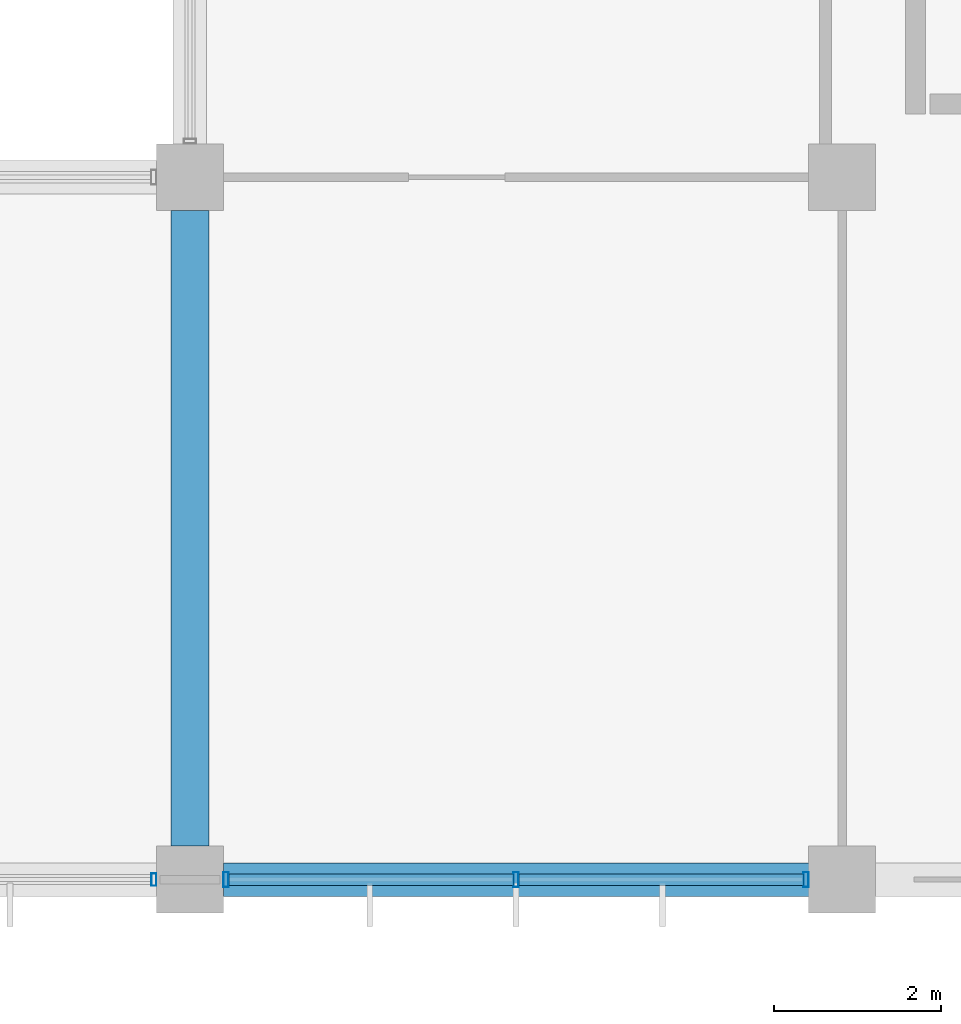
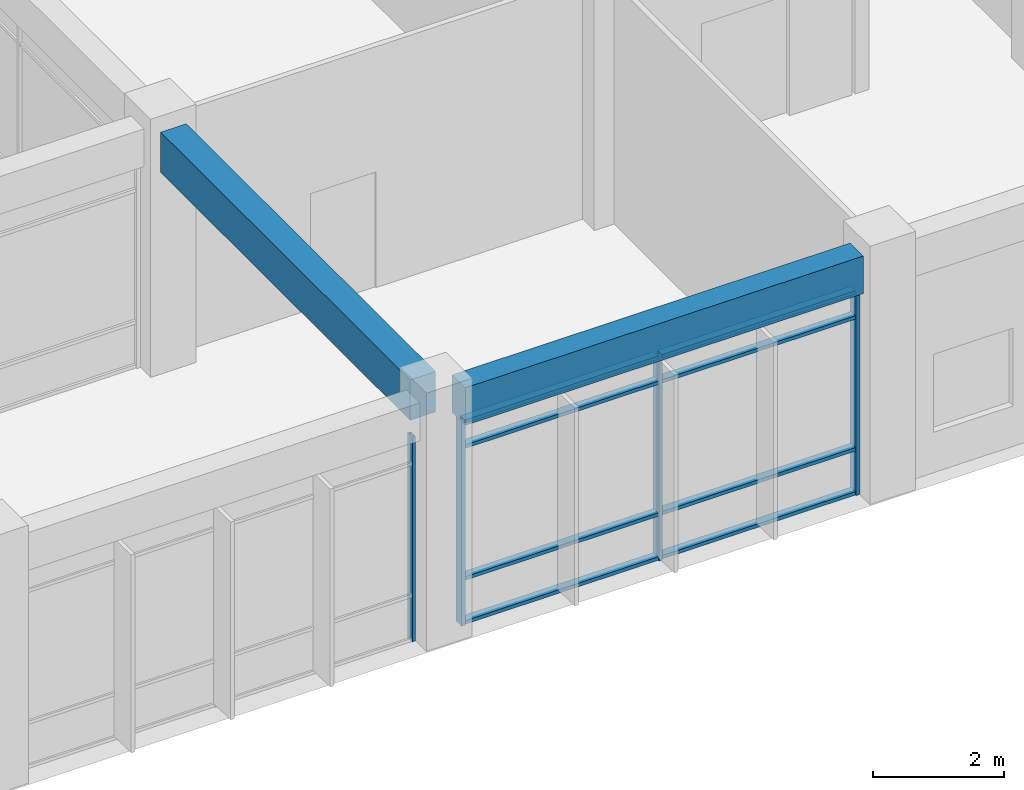
# One storey, part 29 of 62: 12 members, 2 beams, 2 elements without a shape of their own.
"""IFC4 building model written with IfcOpenShell, lengths in metres."""

from ifc_helpers import new_model, si_unit, direction, frame, origin, origin_2d, place, context, subcontext, project, spatial, rectangle, hollow_rectangle, extrude, material, material_profile, profile_set, type_object, element, aggregate, save


model = new_model("IFC4")

# Units and contexts
model_context = context("Model", 3, precision=1e-05, world=origin(), true_north=direction((0.0, 1.0)))
body_context = subcontext(model_context, "Body", "Model", "MODEL_VIEW")
ifc_project = project(units=[si_unit("LENGTHUNIT", "METRE"), si_unit("AREAUNIT", "SQUARE_METRE"), si_unit("VOLUMEUNIT", "CUBIC_METRE"), si_unit("PLANEANGLEUNIT", "RADIAN"), si_unit("MASSUNIT", "GRAM", prefix="KILO"), si_unit("THERMODYNAMICTEMPERATUREUNIT", "KELVIN"), si_unit("POWERUNIT", "WATT")], contexts=[model_context])

# Site, building, storey
site_placement = place(None, origin())
site = spatial("IfcSite", under=ifc_project, at=site_placement, CompositionType="ELEMENT")
building_placement = place(site_placement, origin())
building = spatial("IfcBuilding", under=site, at=building_placement, Name="Srebrne Nadtorze General Hospital", CompositionType="ELEMENT")
storey_placement = place(building_placement, frame((0.0, 0.0, 9.60009765625)))
storey = spatial("IfcBuildingStorey", under=building, at=storey_placement, Name="L02", CompositionType="ELEMENT", Elevation=9.60009765625)

# Curtain wall, member
ifc_material_1 = material(Name="Anodised Aluminium", Category="aluminium")
curtain_wall_type = type_object("IfcCurtainWallType", Name="Unitised curtain wall 7000x3800", PredefinedType="NOTDEFINED", material=ifc_material_1)
curtain_wall_1_placement = place(storey_placement, origin())
curtain_wall_1 = element("IfcCurtainWall", 1, at=curtain_wall_1_placement, inside=storey, type_object=curtain_wall_type, Name="Curtain wall CW-070", PredefinedType="NOTDEFINED")
ifc_material_2 = material(Name="Anodised Aluminium", Category="aluminium")
ifc_material_profile_1 = material_profile(ifc_material_2, hollow_rectangle(XDim=0.06005859375, YDim=0.14990234375, WallThickness=0.00390625, at=origin_2d()), Name="AL-MUL-60x150")
ifc_profile_set_1 = profile_set([ifc_material_profile_1], Name="Anodised Aluminium")
member_type_1 = type_object("IfcMemberType", Name="Curtain mullion 60x150", PredefinedType="MULLION", material=ifc_profile_set_1)
member_1_placement = place(storey_placement, frame((132.169921875, 0.0, 0.0), z_axis=(0.0, 0.0, 1.0), x_axis=(1.0, 0.0, 0.0)))
member_1 = element("IfcMember", 2, at=member_1_placement, type_object=member_type_1, Name="CW-070 mullion 3", PredefinedType="MULLION", context=body_context, shape_type="SweptSolid", body=[
    extrude(hollow_rectangle(XDim=0.06005859375, YDim=0.14990234375, WallThickness=0.00390625, at=origin_2d()), origin(), (0.0, 0.0, 1.0), 3.7998046875),
])
aggregate(curtain_wall_1, [member_1])

# Curtain wall, members
curtain_wall_2_placement = place(storey_placement, origin())
curtain_wall_2 = element("IfcCurtainWall", 3, at=curtain_wall_2_placement, inside=storey, type_object=curtain_wall_type, Name="Curtain wall CW-071", PredefinedType="NOTDEFINED")
ifc_material_3 = material(Name="Anodised Aluminium", Category="aluminium")
ifc_material_profile_2 = material_profile(ifc_material_3, hollow_rectangle(XDim=0.06494140625, YDim=0.179931640625, WallThickness=0.00390625, at=origin_2d()), Name="AL-MUL-65x180")
ifc_profile_set_2 = profile_set([ifc_material_profile_2], Name="Anodised Aluminium")
member_type_2 = type_object("IfcMemberType", Name="Curtain mullion 65x180", PredefinedType="MULLION", material=ifc_profile_set_2)
member_2_placement = place(storey_placement, frame((133.032470703125, 0.0, 0.0), z_axis=(0.0, 0.0, 1.0), x_axis=(1.0, 0.0, 0.0)))
member_2 = element("IfcMember", 4, at=member_2_placement, type_object=member_type_2, Name="CW-071 mullion 1", PredefinedType="MULLION", context=body_context, shape_type="SweptSolid", body=[
    extrude(hollow_rectangle(XDim=0.06494140625, YDim=0.179931640625, WallThickness=0.00390625, at=origin_2d()), origin(), (0.0, 0.0, 1.0), 3.7998046875),
])
member_3_placement = place(storey_placement, frame((136.5, 0.0, 0.0), z_axis=(0.0, 0.0, 1.0), x_axis=(1.0, 0.0, 0.0)))
member_3 = element("IfcMember", 5, at=member_3_placement, type_object=member_type_2, Name="CW-071 mullion 2", PredefinedType="MULLION", context=body_context, shape_type="SweptSolid", body=[
    extrude(hollow_rectangle(XDim=0.06494140625, YDim=0.179931640625, WallThickness=0.00390625, at=origin_2d()), origin(), (0.0, 0.0, 1.0), 3.7998046875),
])
member_4_placement = place(storey_placement, frame((139.967529296875, 0.0, 0.0), z_axis=(0.0, 0.0, 1.0), x_axis=(1.0, 0.0, 0.0)))
member_4 = element("IfcMember", 6, at=member_4_placement, type_object=member_type_2, Name="CW-071 mullion 3", PredefinedType="MULLION", context=body_context, shape_type="SweptSolid", body=[
    extrude(hollow_rectangle(XDim=0.06494140625, YDim=0.179931640625, WallThickness=0.00390625, at=origin_2d()), origin(), (0.0, 0.0, 1.0), 3.7998046875),
])
ifc_material_4 = material(Name="Anodised Aluminium", Category="aluminium")
ifc_material_profile_3 = material_profile(ifc_material_4, hollow_rectangle(XDim=0.06494140625, YDim=0.139892578125, WallThickness=0.00390625, at=origin_2d()), Name="AL-TRN-65x140")
ifc_profile_set_3 = profile_set([ifc_material_profile_3], Name="Anodised Aluminium")
member_type_3 = type_object("IfcMemberType", Name="Curtain transom 65x140", PredefinedType="USERDEFINED", material=ifc_profile_set_3)
member_5_placement = place(storey_placement, frame((133.06494140625, 0.0, 0.032470703125), z_axis=(1.0, 0.0, 0.0), x_axis=(0.0, 0.0, 1.0)))
member_5 = element("IfcMember", 7, at=member_5_placement, type_object=member_type_3, Name="CW-071 transom 1.1", ObjectType="TRANSOM", PredefinedType="USERDEFINED", context=body_context, shape_type="SweptSolid", body=[
    extrude(hollow_rectangle(XDim=0.06494140625, YDim=0.139892578125, WallThickness=0.00390625, at=origin_2d()), origin(), (0.0, 0.0, 1.0), 3.402587890625),
])
member_6_placement = place(storey_placement, frame((133.06494140625, 0.0, 0.849853515625), z_axis=(1.0, 0.0, 0.0), x_axis=(0.0, 0.0, 1.0)))
member_6 = element("IfcMember", 8, at=member_6_placement, type_object=member_type_3, Name="CW-071 transom 1.2", ObjectType="TRANSOM", PredefinedType="USERDEFINED", context=body_context, shape_type="SweptSolid", body=[
    extrude(hollow_rectangle(XDim=0.06494140625, YDim=0.139892578125, WallThickness=0.00390625, at=origin_2d()), origin(), (0.0, 0.0, 1.0), 3.402587890625),
])
member_7_placement = place(storey_placement, frame((133.06494140625, 0.0, 3.2998046875), z_axis=(1.0, 0.0, 0.0), x_axis=(0.0, 0.0, 1.0)))
member_7 = element("IfcMember", 9, at=member_7_placement, type_object=member_type_3, Name="CW-071 transom 1.3", ObjectType="TRANSOM", PredefinedType="USERDEFINED", context=body_context, shape_type="SweptSolid", body=[
    extrude(hollow_rectangle(XDim=0.06494140625, YDim=0.139892578125, WallThickness=0.00390625, at=origin_2d()), origin(), (0.0, 0.0, 1.0), 3.402587890625),
])
member_8_placement = place(storey_placement, frame((133.06494140625, 0.0, 3.767333984375), z_axis=(1.0, 0.0, 0.0), x_axis=(0.0, 0.0, 1.0)))
member_8 = element("IfcMember", 10, at=member_8_placement, type_object=member_type_3, Name="CW-071 transom 1.4", ObjectType="TRANSOM", PredefinedType="USERDEFINED", context=body_context, shape_type="SweptSolid", body=[
    extrude(hollow_rectangle(XDim=0.06494140625, YDim=0.139892578125, WallThickness=0.00390625, at=origin_2d()), origin(), (0.0, 0.0, 1.0), 3.402587890625),
])
member_9_placement = place(storey_placement, frame((136.532470703125, 0.0, 0.032470703125), z_axis=(1.0, 0.0, 0.0), x_axis=(0.0, 0.0, 1.0)))
member_9 = element("IfcMember", 11, at=member_9_placement, type_object=member_type_3, Name="CW-071 transom 2.1", ObjectType="TRANSOM", PredefinedType="USERDEFINED", context=body_context, shape_type="SweptSolid", body=[
    extrude(hollow_rectangle(XDim=0.06494140625, YDim=0.139892578125, WallThickness=0.00390625, at=origin_2d()), origin(), (0.0, 0.0, 1.0), 3.402587890625),
])
member_10_placement = place(storey_placement, frame((136.532470703125, 0.0, 0.849853515625), z_axis=(1.0, 0.0, 0.0), x_axis=(0.0, 0.0, 1.0)))
member_10 = element("IfcMember", 12, at=member_10_placement, type_object=member_type_3, Name="CW-071 transom 2.2", ObjectType="TRANSOM", PredefinedType="USERDEFINED", context=body_context, shape_type="SweptSolid", body=[
    extrude(hollow_rectangle(XDim=0.06494140625, YDim=0.139892578125, WallThickness=0.00390625, at=origin_2d()), origin(), (0.0, 0.0, 1.0), 3.402587890625),
])
member_11_placement = place(storey_placement, frame((136.532470703125, 0.0, 3.2998046875), z_axis=(1.0, 0.0, 0.0), x_axis=(0.0, 0.0, 1.0)))
member_11 = element("IfcMember", 13, at=member_11_placement, type_object=member_type_3, Name="CW-071 transom 2.3", ObjectType="TRANSOM", PredefinedType="USERDEFINED", context=body_context, shape_type="SweptSolid", body=[
    extrude(hollow_rectangle(XDim=0.06494140625, YDim=0.139892578125, WallThickness=0.00390625, at=origin_2d()), origin(), (0.0, 0.0, 1.0), 3.402587890625),
])
member_12_placement = place(storey_placement, frame((136.532470703125, 0.0, 3.767333984375), z_axis=(1.0, 0.0, 0.0), x_axis=(0.0, 0.0, 1.0)))
member_12 = element("IfcMember", 14, at=member_12_placement, type_object=member_type_3, Name="CW-071 transom 2.4", ObjectType="TRANSOM", PredefinedType="USERDEFINED", context=body_context, shape_type="SweptSolid", body=[
    extrude(hollow_rectangle(XDim=0.06494140625, YDim=0.139892578125, WallThickness=0.00390625, at=origin_2d()), origin(), (0.0, 0.0, 1.0), 3.402587890625),
])
aggregate(curtain_wall_2, [member_2, member_3, member_4, member_5, member_6, member_7, member_8, member_9, member_10, member_11, member_12])

# Beams
ifc_material_5 = material(Name="Concrete C40/50", Category="concrete")
ifc_material_profile_4 = material_profile(ifc_material_5, rectangle(XDim=0.39990234375, YDim=0.699951171875, at=origin_2d()), Name="RC-BM-400x700")
ifc_profile_set_4 = profile_set([ifc_material_profile_4], Name="Concrete C40/50")
beam_type_1 = type_object("IfcBeamType", Name="Edge beam RC 400x700", PredefinedType="BEAM", material=ifc_profile_set_4)
beam_1_placement = place(storey_placement, frame((133.0, 0.0, 4.14990234375), z_axis=(1.0, 0.0, 0.0), x_axis=(0.0, 1.0, 0.0)))
element("IfcBeam", 15, at=beam_1_placement, inside=storey, type_object=beam_type_1, Name="Beam BM-L02-X-0561", PredefinedType="BEAM", context=body_context, shape_type="SweptSolid", body=[
    extrude(rectangle(XDim=0.39990234375, YDim=0.699951171875, at=origin_2d()), origin(), (0.0, 0.0, 1.0), 7.0),
])
ifc_material_6 = material(Name="Concrete C40/50", Category="concrete")
ifc_material_profile_5 = material_profile(ifc_material_6, rectangle(XDim=0.449951171875, YDim=0.75, at=origin_2d()), Name="RC-BM-450x750")
ifc_profile_set_5 = profile_set([ifc_material_profile_5], Name="Concrete C40/50")
beam_type_2 = type_object("IfcBeamType", Name="Primary beam RC 450x750", PredefinedType="BEAM", material=ifc_profile_set_5)
beam_2_placement = place(storey_placement, frame((132.60009765625, 0.39990234375, 4.125), z_axis=(0.0, 1.0, 0.0), x_axis=(-1.0, 0.0, 0.0)))
element("IfcBeam", 16, at=beam_2_placement, inside=storey, type_object=beam_type_2, Name="Beam BM-L02-Y-0693", PredefinedType="BEAM", context=body_context, shape_type="SweptSolid", body=[
    extrude(rectangle(XDim=0.449951171875, YDim=0.75, at=origin_2d()), origin(), (0.0, 0.0, 1.0), 7.60009765625),
])

save(model, "model.ifc")
